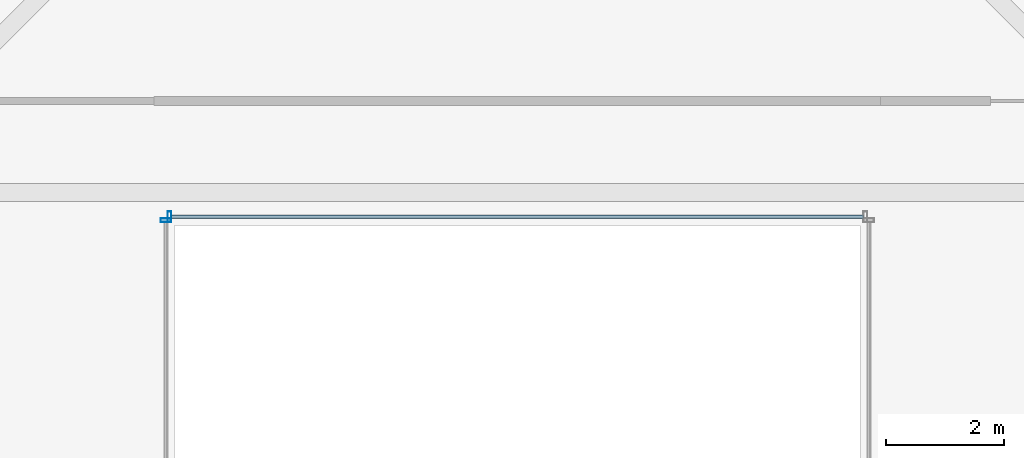
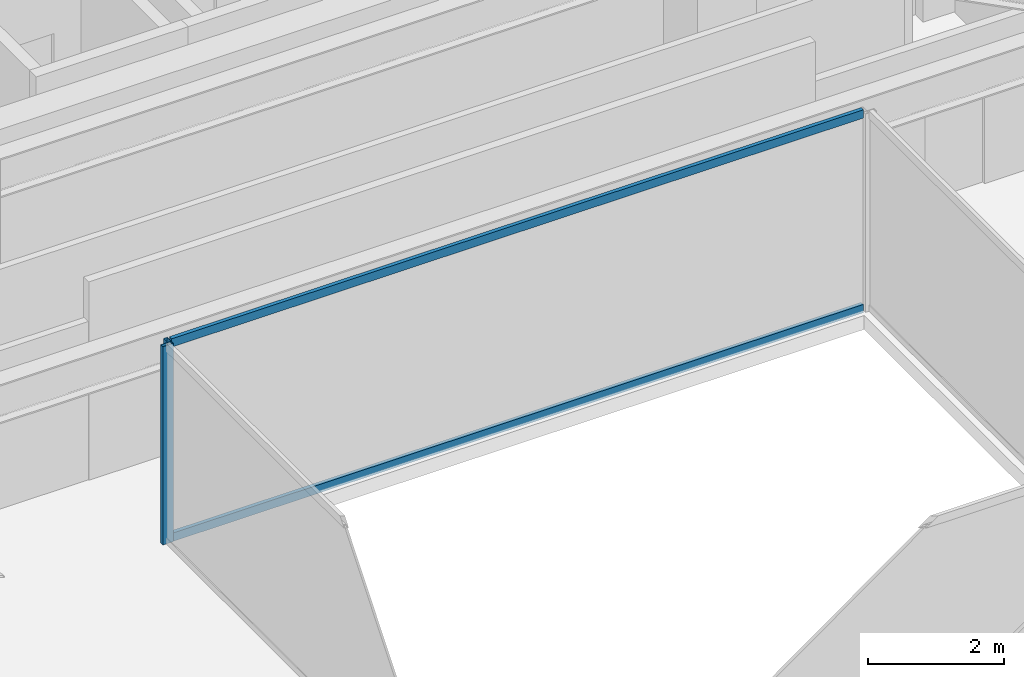
# One storey, part 12 of 35: 4 members, 2 elements without a shape of their own.
"""IFC4 building model written with IfcOpenShell, lengths in metres."""

from ifc_helpers import new_model, si_unit, direction, frame, origin, origin_2d, place, context, subcontext, project, spatial, hollow_rectangle, extrude, material, material_profile, profile_set, type_object, element, aggregate, save


model = new_model("IFC4")

# Units and contexts
model_context = context("Model", 3, precision=1e-05, world=origin(), true_north=direction((0.0, 1.0)))
body_context = subcontext(model_context, "Body", "Model", "MODEL_VIEW")
ifc_project = project(units=[si_unit("LENGTHUNIT", "METRE"), si_unit("AREAUNIT", "SQUARE_METRE"), si_unit("VOLUMEUNIT", "CUBIC_METRE"), si_unit("PLANEANGLEUNIT", "RADIAN"), si_unit("MASSUNIT", "GRAM", prefix="KILO")], contexts=[model_context])

# Site, building, storey
site_placement = place(None, origin())
site = spatial("IfcSite", under=ifc_project, at=site_placement, CompositionType="ELEMENT")
building_placement = place(site_placement, origin())
building = spatial("IfcBuilding", under=site, at=building_placement, Name="Saevonmaru Cultural Tower", CompositionType="ELEMENT")
storey_placement = place(building_placement, frame((0.0, 0.0, 175.199951171875)))
storey = spatial("IfcBuildingStorey", under=building, at=storey_placement, Name="L39", CompositionType="ELEMENT", Elevation=175.199951171875)

# Curtain wall, member
ifc_material = material(Name="Satin Bronze Anodised Aluminium", Category="aluminium")
curtain_wall_type = type_object("IfcCurtainWallType", Name="CW-ATR-GLZ", PredefinedType="NOTDEFINED", material=ifc_material)
curtain_wall_1_placement = place(storey_placement, origin())
curtain_wall_1 = element("IfcCurtainWall", 1, at=curtain_wall_1_placement, inside=storey, type_object=curtain_wall_type, Name="L39 Vertical Atrium Glazed Smoke Screen 3", PredefinedType="NOTDEFINED")
ifc_material_profile_1 = material_profile(ifc_material, hollow_rectangle(XDim=0.06494140625, YDim=0.179931640625, WallThickness=0.00390625, at=origin_2d()), Name="ALU-MULL-180x65x4")
ifc_profile_set_1 = profile_set([ifc_material_profile_1], Name="Satin Bronze Anodised Aluminium")
member_type_1 = type_object("IfcMemberType", Name="ML-CW-INT-180x65", PredefinedType="MULLION", material=ifc_profile_set_1)
member_1_placement = place(storey_placement, frame((24.110107421875, 36.989990234375, 0.0), z_axis=(0.0, 0.0, 1.0), x_axis=(-1.0, 0.0, 0.0)))
member_1 = element("IfcMember", 2, at=member_1_placement, type_object=member_type_1, Name="CW-ATR-L39-3 mullion 2", PredefinedType="MULLION", context=body_context, shape_type="SweptSolid", body=[
    extrude(hollow_rectangle(XDim=0.06494140625, YDim=0.179931640625, WallThickness=0.00390625, at=origin_2d()), origin(), (0.0, 0.0, 1.0), 3.550048828125),
])

curtain_wall_2_placement = place(storey_placement, origin())
curtain_wall_2 = element("IfcCurtainWall", 3, at=curtain_wall_2_placement, inside=storey, type_object=curtain_wall_type, Name="L39 Vertical Atrium Glazed Smoke Screen 4", PredefinedType="NOTDEFINED")
member_2_placement = place(storey_placement, frame((24.050048828125, 36.929931640625, 0.0), z_axis=(0.0, 0.0, 1.0), x_axis=(0.0, -1.0, 0.0)))
member_2 = element("IfcMember", 4, at=member_2_placement, type_object=member_type_1, Name="CW-ATR-L39-4 mullion 1", PredefinedType="MULLION", context=body_context, shape_type="SweptSolid", body=[
    extrude(hollow_rectangle(XDim=0.06494140625, YDim=0.179931640625, WallThickness=0.00390625, at=origin_2d()), origin(), (0.0, 0.0, 1.0), 3.550048828125),
])
aggregate(curtain_wall_2, [member_2])

# Member
ifc_material_profile_2 = material_profile(ifc_material, hollow_rectangle(XDim=0.06494140625, YDim=0.14990234375, WallThickness=0.00390625, at=origin_2d()), Name="ALU-TRAN-150x65x4")
ifc_profile_set_2 = profile_set([ifc_material_profile_2], Name="Satin Bronze Anodised Aluminium")
member_type_2 = type_object("IfcMemberType", Name="TR-CW-INT-150x65", PredefinedType="USERDEFINED", material=ifc_profile_set_2)
member_3_placement = place(storey_placement, frame((35.857421875, 36.989990234375, 0.032470703125), z_axis=(-1.0, 0.0, 0.0), x_axis=(0.0, -1.0, 0.0)))
member_3 = element("IfcMember", 5, at=member_3_placement, type_object=member_type_2, Name="CW-ATR-L39-3 transom 1.1", ObjectType="TRANSOM", PredefinedType="USERDEFINED", context=body_context, shape_type="SweptSolid", body=[
    extrude(hollow_rectangle(XDim=0.06494140625, YDim=0.14990234375, WallThickness=0.00390625, at=origin_2d()), origin(), (0.0, 0.0, 1.0), 11.71484375),
])

member_4_placement = place(storey_placement, frame((35.857421875, 36.989990234375, 3.517578125), z_axis=(-1.0, 0.0, 0.0), x_axis=(0.0, -1.0, 0.0)))
member_4 = element("IfcMember", 6, at=member_4_placement, type_object=member_type_2, Name="CW-ATR-L39-3 transom 1.2", ObjectType="TRANSOM", PredefinedType="USERDEFINED", context=body_context, shape_type="SweptSolid", body=[
    extrude(hollow_rectangle(XDim=0.06494140625, YDim=0.14990234375, WallThickness=0.00390625, at=origin_2d()), origin(), (0.0, 0.0, 1.0), 11.71484375),
])

aggregate(curtain_wall_1, [member_1, member_3, member_4])

save(model, "model.ifc")
